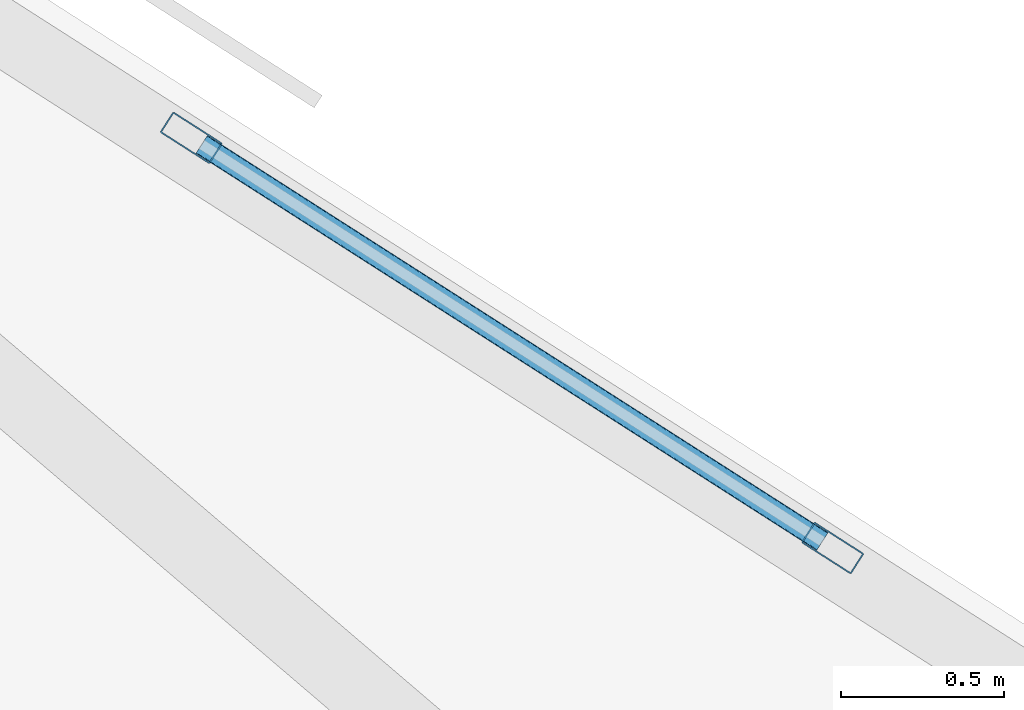
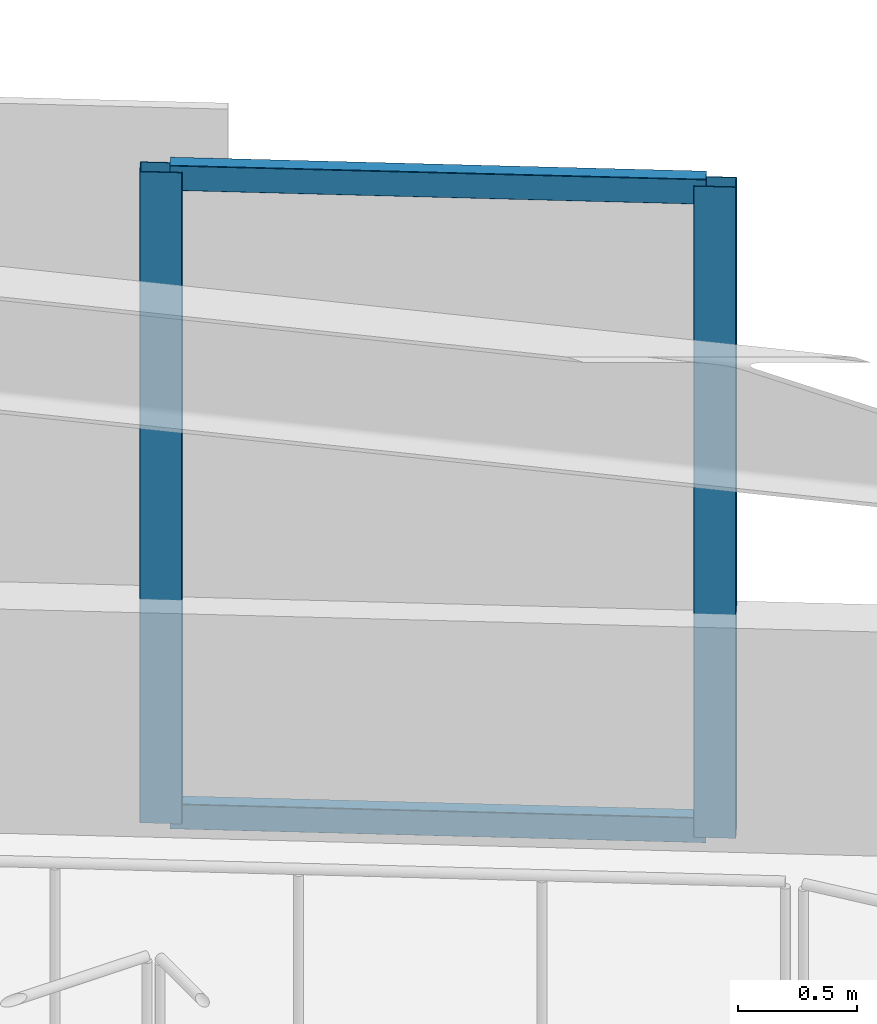
# One storey, part 2 of 15: 4 members, 1 element without a shape of its own.
"""IFC4 building model written with IfcOpenShell, lengths in metres."""

import ifcopenshell
import ifcopenshell.guid

model = None  # the IFC model being written
_history = None  # IfcOwnerHistory: only IFC2X3 demands one
_inside = {}  # id of a spatial element -> (the spatial element, [elements in it])
_under = {}  # id of a project, library or spatial element -> (it, [spatial elements below it])
_declared = {}  # id of a project -> (the project, [libraries it declares])
_typed = {}  # id of a type object -> (the type object, [elements of that type])
_made_of = {}  # id of a material, layer set ... -> (it, [elements and type objects made of it])


def new_model(schema):
    """Start an empty IFC model of exactly this schema.

    Asked for "IFC4X3", IfcOpenShell would pick the latest addendum, in which some entities
    have other attributes; the version numbers below select the first issue.
    IFC2X3 requires an IfcOwnerHistory on every rooted entity: one is made here for all.
    """
    global model, _history
    if schema == "IFC4X3":
        model = ifcopenshell.file(schema_version=(4, 3, 0, 0))
    else:
        model = ifcopenshell.file(schema=schema)
    _inside.clear()
    _under.clear()
    _declared.clear()
    _typed.clear()
    _made_of.clear()
    _history = None
    if model.schema == "IFC2X3":
        org = make("IfcOrganization", Name="unknown")
        user = make(
            "IfcPersonAndOrganization",
            ThePerson=make("IfcPerson", FamilyName="unknown"),
            TheOrganization=org,
        )
        app = make(
            "IfcApplication",
            ApplicationDeveloper=org,
            Version="unknown",
            ApplicationFullName="unknown",
            ApplicationIdentifier="unknown",
        )
        _history = make(
            "IfcOwnerHistory",
            OwningUser=user,
            OwningApplication=app,
            ChangeAction="ADDED",
            CreationDate=0,
        )
    return model


def make(cls, **values):
    """One entity of the class cls with the attributes given. An attribute that is None is left unset."""
    return model.create_entity(
        cls, **{name: value for name, value in values.items() if value is not None}
    )


def rooted(cls, **values):
    """An entity with a GlobalId (a new one), such as an element, a storey or a relation."""
    return make(cls, GlobalId=ifcopenshell.guid.new(), OwnerHistory=_history, **values)


def si_unit(unit_type, name, prefix=None):
    """IfcSIUnit, for example si_unit("LENGTHUNIT", "METRE", prefix="MILLI")."""
    return make("IfcSIUnit", UnitType=unit_type, Prefix=prefix, Name=name)


def assignment(units):
    """IfcUnitAssignment: the units of a project."""
    return None if units is None else make("IfcUnitAssignment", Units=units)


def point(xyz):
    """IfcCartesianPoint."""
    return None if xyz is None else make("IfcCartesianPoint", Coordinates=xyz)


def direction(xyz):
    """IfcDirection."""
    return None if xyz is None else make("IfcDirection", DirectionRatios=xyz)


def frame(location, z_axis=None, x_axis=None):
    """IfcAxis2Placement3D, a coordinate frame: its origin and axes. An axis left out is left unset."""
    return make(
        "IfcAxis2Placement3D",
        Location=point(location),
        Axis=direction(z_axis),
        RefDirection=direction(x_axis),
    )


def frame_2d(location, x_axis=None):
    """IfcAxis2Placement2D, a coordinate frame in the plane: its origin and x axis."""
    return make(
        "IfcAxis2Placement2D", Location=point(location), RefDirection=direction(x_axis)
    )


def origin():
    """The frame at (0, 0, 0) with its axes left unset."""
    return frame((0.0, 0.0, 0.0))


def origin_2d():
    """The frame at (0, 0) in the plane with its x axis left unset."""
    return frame_2d((0.0, 0.0))


def place(relative_to, where):
    """IfcLocalPlacement: puts the frame where relative to a parent placement (None: the world)."""
    return make(
        "IfcLocalPlacement", PlacementRelTo=relative_to, RelativePlacement=where
    )


def context(
    kind, dimensions, precision=None, world=None, true_north=None, identifier=None
):
    """IfcGeometricRepresentationContext, for example the 3D "Model" context."""
    return make(
        "IfcGeometricRepresentationContext",
        ContextIdentifier=identifier,
        ContextType=kind,
        CoordinateSpaceDimension=dimensions,
        Precision=precision,
        WorldCoordinateSystem=world,
        TrueNorth=true_north,
    )


def subcontext(parent, identifier, kind, view, scale=None):
    """IfcGeometricRepresentationSubContext, for example "Body" below "Model"."""
    return make(
        "IfcGeometricRepresentationSubContext",
        ContextIdentifier=identifier,
        ContextType=kind,
        ParentContext=parent,
        TargetScale=scale,
        TargetView=view,
    )


def project(units=None, contexts=None):
    """IfcProject with its units and contexts."""
    return rooted(
        "IfcProject",
        Name="project",
        RepresentationContexts=contexts,
        UnitsInContext=assignment(units),
    )


def spatial(cls, under=None, at=None, **own):
    """A site, building, storey or space (cls), placed at a placement, below another one or the project."""
    s = rooted(cls, ObjectPlacement=at, **own)
    if under is not None:
        _under.setdefault(under.id(), (under, []))[1].append(s)
    return s


def profile(cls, at=None, kind="AREA", **sizes):
    """A parametric profile (cls). Its sizes go by their IFC names, for example OverallWidth=200.0."""
    return make(cls, ProfileType=kind, Position=at, **sizes)


def hollow_rectangle(**sizes):
    """IfcRectangleHollowProfileDef."""
    return profile("IfcRectangleHollowProfileDef", **sizes)


def extrude(swept, where, along, depth):
    """IfcExtrudedAreaSolid: the profile swept, set in the frame where, extruded along a direction by depth."""
    return make(
        "IfcExtrudedAreaSolid",
        SweptArea=swept,
        Position=where,
        ExtrudedDirection=direction(along),
        Depth=depth,
    )


def shape(context_of_items, identifier, shape_type, items):
    """IfcShapeRepresentation: the items that make up one representation, for example the "Body"."""
    return make(
        "IfcShapeRepresentation",
        ContextOfItems=context_of_items,
        RepresentationIdentifier=identifier,
        RepresentationType=shape_type,
        Items=items,
    )


def material(Name=None, Category=None):
    """IfcMaterial."""
    return make("IfcMaterial", Name=Name, Category=Category)


def material_profile(
    of_material, cross_section, Name=None, Category=None, Priority=None
):
    """IfcMaterialProfile: a cross section and its material."""
    return make(
        "IfcMaterialProfile",
        Name=Name,
        Material=of_material,
        Profile=cross_section,
        Priority=Priority,
        Category=Category,
    )


def profile_set(profiles, Name=None, composite=None):
    """IfcMaterialProfileSet."""
    return make(
        "IfcMaterialProfileSet",
        Name=Name,
        MaterialProfiles=profiles,
        CompositeProfile=composite,
    )


def made_of(thing, what):
    """Note that an element or type object is made of a material, layer set ...; save() writes the relation."""
    if what is not None:
        _made_of.setdefault(what.id(), (what, []))[1].append(thing)
    return thing


def type_object(cls, material=None, **own):
    """A type object (cls), such as IfcWallType, which elements share."""
    return made_of(rooted(cls, **own), material)


def element(
    cls,
    number,
    at=None,
    inside=None,
    cuts=None,
    type_object=None,
    material=None,
    context=None,
    identifier="Body",
    shape_type=None,
    held_by="IfcProductDefinitionShape",
    body=None,
    shapes=None,
    **own,
):
    """One element of the class cls, such as IfcWall. Its Tag is "e" and its number.

    at: its placement. inside: the storey or other place that contains it. cuts: it is an
    opening in that element (IfcRelVoidsElement). A single representation is given by context,
    identifier, shape_type and body (its items); several are given by shapes. held_by: the class
    of the entity that holds the representations. save() writes the other relations.
    """
    e = rooted(cls, Tag="e%d" % number, ObjectPlacement=at, **own)
    if body is not None:
        shapes = [shape(context, identifier, shape_type, body)]
    if shapes is not None:
        e.Representation = make(held_by, Representations=shapes)
    if inside is not None:
        _inside.setdefault(inside.id(), (inside, []))[1].append(e)
    if cuts is not None:
        rooted(
            "IfcRelVoidsElement", RelatingBuildingElement=cuts, RelatedOpeningElement=e
        )
    if type_object is not None:
        _typed.setdefault(type_object.id(), (type_object, []))[1].append(e)
    return made_of(e, material)


def aggregate(whole, parts):
    """IfcRelAggregates: a whole, such as a stair, and the parts it consists of."""
    return rooted("IfcRelAggregates", RelatingObject=whole, RelatedObjects=parts)


def save(model, path):
    """Write the relations noted so far, then the file.

    IfcRelAggregates (storeys below a building ...), IfcRelContainedInSpatialStructure (elements
    in a storey), IfcRelDefinesByType, IfcRelAssociatesMaterial and IfcRelDeclares: one each for
    every whole, place, type object, material and project.
    """
    for whole, parts in _under.values():
        aggregate(whole, parts)
    for where, things in _inside.values():
        rooted(
            "IfcRelContainedInSpatialStructure",
            RelatedElements=things,
            RelatingStructure=where,
        )
    for kind, things in _typed.values():
        rooted("IfcRelDefinesByType", RelatedObjects=things, RelatingType=kind)
    for what, things in _made_of.values():
        rooted("IfcRelAssociatesMaterial", RelatedObjects=things, RelatingMaterial=what)
    for by, libraries in _declared.values():
        rooted("IfcRelDeclares", RelatingContext=by, RelatedDefinitions=libraries)
    model.write(path)


model = new_model("IFC4")

# Units and contexts
model_context = context("Model", 3, precision=1e-05, world=origin(), true_north=direction((0.0, 1.0)))
body_context = subcontext(model_context, "Body", "Model", "MODEL_VIEW")
ifc_project = project(units=[si_unit("LENGTHUNIT", "METRE"), si_unit("AREAUNIT", "SQUARE_METRE"), si_unit("VOLUMEUNIT", "CUBIC_METRE"), si_unit("PLANEANGLEUNIT", "RADIAN"), si_unit("MASSUNIT", "GRAM", prefix="KILO")], contexts=[model_context])

# Site, building, storey
site_placement = place(None, origin())
site = spatial("IfcSite", under=ifc_project, at=site_placement, CompositionType="ELEMENT")
building_placement = place(site_placement, origin())
building = spatial("IfcBuilding", under=site, at=building_placement, Name="Narakoshi Arena Tower", CompositionType="ELEMENT")
storey_placement = place(building_placement, frame((0.0, 0.0, 74.10009765625)))
storey = spatial("IfcBuildingStorey", under=building, at=storey_placement, Name="L19", CompositionType="ELEMENT", Elevation=74.10009765625)

# Curtain wall, members
ifc_material = material(Name="Anodised bronze aluminium 6063-T6", Category="aluminium")
curtain_wall_type = type_object("IfcCurtainWallType", Name="CW-HYP-LOW", PredefinedType="NOTDEFINED", material=ifc_material)
curtain_wall_placement = place(storey_placement, origin())
curtain_wall = element("IfcCurtainWall", 1, at=curtain_wall_placement, inside=storey, type_object=curtain_wall_type, Name="L19 Folded Hypotenuse Curtain Wall 2-1", PredefinedType="NOTDEFINED")
ifc_material_profile_1 = material_profile(ifc_material, hollow_rectangle(XDim=0.074951171875, YDim=0.179931640625, WallThickness=0.00390625, OuterFilletRadius=0.0048828125, at=origin_2d()), Name="MUL180x75x4")
ifc_profile_set_1 = profile_set([ifc_material_profile_1], Name="Anodised bronze aluminium 6063-T6")
member_type_1 = type_object("IfcMemberType", Name="MEM-MUL-180", PredefinedType="MULLION", material=ifc_profile_set_1)
member_1_placement = place(storey_placement, frame((91.90234375, 60.801025390625, 0.0), z_axis=(0.0, 0.0, 1.0), x_axis=(-0.538822365864, -0.842419407448, 0.0)))
member_1 = element("IfcMember", 2, at=member_1_placement, type_object=member_type_1, Name="CW-01 mullion 1", PredefinedType="MULLION", context=body_context, shape_type="SweptSolid", body=[
    extrude(hollow_rectangle(XDim=0.074951171875, YDim=0.179931640625, WallThickness=0.00390625, OuterFilletRadius=0.0048828125, at=origin_2d()), origin(), (0.0, 0.0, 1.0), 3.33984375),
])
member_2_placement = place(storey_placement, frame((89.93994140625, 62.056396484375, 0.0), z_axis=(0.0, 0.0, 1.0), x_axis=(-0.538822365864, -0.842419407448, 0.0)))
member_2 = element("IfcMember", 3, at=member_2_placement, type_object=member_type_1, Name="CW-01 mullion 2", PredefinedType="MULLION", context=body_context, shape_type="SweptSolid", body=[
    extrude(hollow_rectangle(XDim=0.074951171875, YDim=0.179931640625, WallThickness=0.00390625, OuterFilletRadius=0.0048828125, at=origin_2d()), origin(), (0.0, 0.0, 1.0), 3.33984375),
])
ifc_material_profile_2 = material_profile(ifc_material, hollow_rectangle(XDim=0.06494140625, YDim=0.1298828125, WallThickness=0.00390625, OuterFilletRadius=0.0048828125, at=origin_2d()), Name="TRN130x65x4")
ifc_profile_set_2 = profile_set([ifc_material_profile_2], Name="Anodised bronze aluminium 6063-T6")
member_type_2 = type_object("IfcMemberType", Name="MEM-TRN-130", PredefinedType="USERDEFINED", material=ifc_profile_set_2)
member_3_placement = place(storey_placement, frame((91.870849609375, 60.8212890625, 0.032470703125), z_axis=(-0.842397246246, 0.538857012125, 0.0), x_axis=(-0.538857012125, -0.842397246246, 0.0)))
member_3 = element("IfcMember", 4, at=member_3_placement, type_object=member_type_2, Name="CW-01 transom 1.1", ObjectType="TRANSOM", PredefinedType="USERDEFINED", context=body_context, shape_type="SweptSolid", body=[
    extrude(hollow_rectangle(XDim=0.06494140625, YDim=0.1298828125, WallThickness=0.00390625, OuterFilletRadius=0.0048828125, at=origin_2d()), origin(), (0.0, 0.0, 1.0), 2.25439453125),
])
member_4_placement = place(storey_placement, frame((91.870849609375, 60.8212890625, 3.307373046875), z_axis=(-0.842397246246, 0.538857012125, 0.0), x_axis=(-0.538857012125, -0.842397246246, 0.0)))
member_4 = element("IfcMember", 5, at=member_4_placement, type_object=member_type_2, Name="CW-01 transom 1.2", ObjectType="TRANSOM", PredefinedType="USERDEFINED", context=body_context, shape_type="SweptSolid", body=[
    extrude(hollow_rectangle(XDim=0.06494140625, YDim=0.1298828125, WallThickness=0.00390625, OuterFilletRadius=0.0048828125, at=origin_2d()), origin(), (0.0, 0.0, 1.0), 2.25439453125),
])
aggregate(curtain_wall, [member_1, member_2, member_3, member_4])

save(model, "model.ifc")
